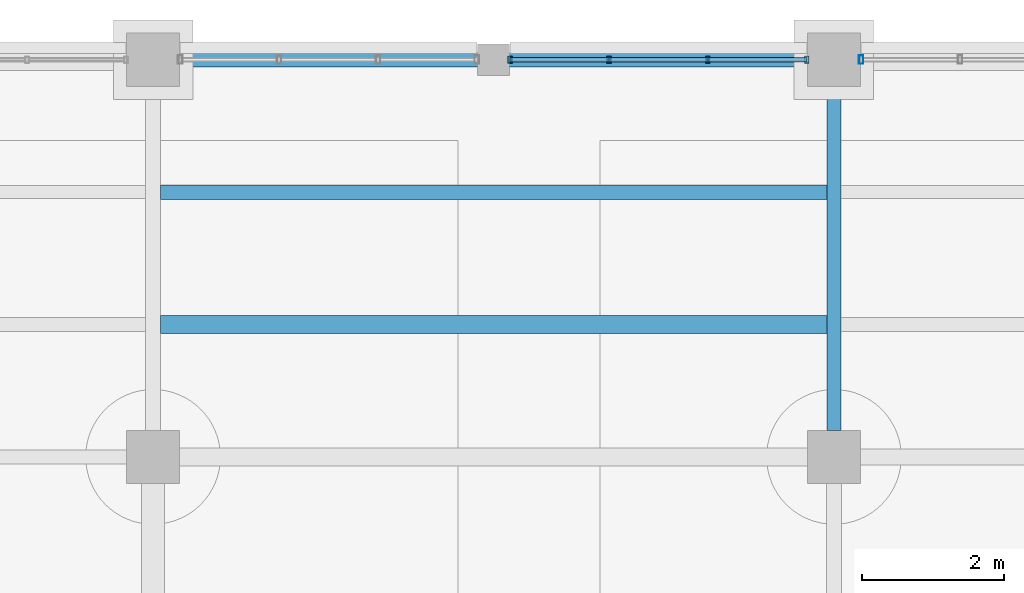
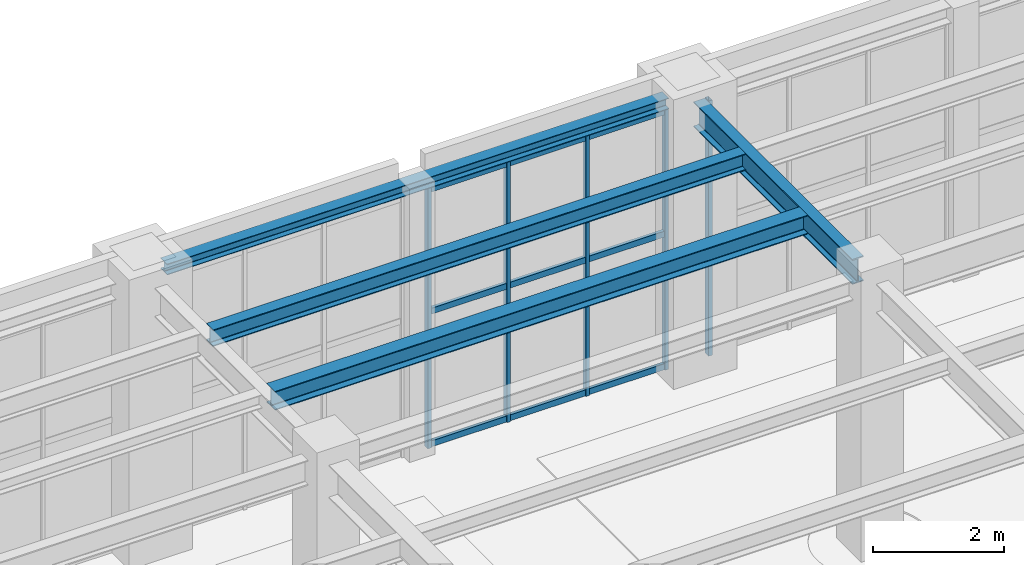
# One storey, part 78 of 164: 14 members, 4 beams, 2 elements without a shape of their own.
"""IFC4 building model written with IfcOpenShell, lengths in metres."""

from ifc_helpers import new_model, si_unit, direction, frame, origin, origin_2d, place, context, subcontext, project, spatial, hollow_rectangle, i_section, extrude, material, material_profile, profile_set, type_object, element, aggregate, save


model = new_model("IFC4")

# Units and contexts
model_context = context("Model", 3, precision=1e-05, world=origin(), true_north=direction((0.0, 1.0)))
body_context = subcontext(model_context, "Body", "Model", "MODEL_VIEW")
ifc_project = project(units=[si_unit("LENGTHUNIT", "METRE"), si_unit("AREAUNIT", "SQUARE_METRE"), si_unit("VOLUMEUNIT", "CUBIC_METRE"), si_unit("PLANEANGLEUNIT", "RADIAN"), si_unit("MASSUNIT", "GRAM", prefix="KILO")], contexts=[model_context])

# Site, building, storey
site_placement = place(None, origin())
site = spatial("IfcSite", under=ifc_project, at=site_placement, CompositionType="ELEMENT")
building_placement = place(site_placement, origin())
building = spatial("IfcBuilding", under=site, at=building_placement, Name="Mavantir Sound Aquarium", CompositionType="ELEMENT")
storey_placement = place(building_placement, origin())
storey = spatial("IfcBuildingStorey", under=building, at=storey_placement, Name="L00", CompositionType="ELEMENT", Elevation=0.0)

# Beams
ifc_material_1 = material(Name="Structural Steel ASTM A992 Gr50", Category="steel")
ifc_material_profile_1 = material_profile(ifc_material_1, i_section(OverallWidth=0.202880859375, OverallDepth=0.202880859375, WebThickness=0.007080078125, FlangeThickness=0.010986328125, FilletRadius=0.010009765625, at=origin_2d()), Name="W200X46")
ifc_profile_set_1 = profile_set([ifc_material_profile_1], Name="Structural Steel ASTM A992 Gr50")
beam_type_1 = type_object("IfcBeamType", Name="BM-W200X46-E", PredefinedType="LINTEL", material=ifc_profile_set_1)
beam_1_placement = place(storey_placement, frame((19.574951171875, 116.0, 4.994384765625), z_axis=(1.0, 0.0, 0.0), x_axis=(0.0, 1.0, 0.0)))
element("IfcBeam", 1, at=beam_1_placement, inside=storey, type_object=beam_type_1, Name="L00 primary beam SL-20 1048", PredefinedType="LINTEL", context=body_context, shape_type="SweptSolid", body=[
    extrude(i_section(OverallWidth=0.202880859375, OverallDepth=0.202880859375, WebThickness=0.007080078125, FlangeThickness=0.010986328125, FilletRadius=0.010009765625, at=origin_2d()), origin(), (0.0, 0.0, 1.0), 8.85009765625),
])
ifc_material_profile_2 = material_profile(ifc_material_1, i_section(OverallWidth=0.205078125, OverallDepth=0.31005859375, WebThickness=0.009521484375, FlangeThickness=0.016357421875, FilletRadius=0.012939453125, at=origin_2d()), Name="W310X74")
ifc_profile_set_2 = profile_set([ifc_material_profile_2], Name="Structural Steel ASTM A992 Gr50")
beam_type_2 = type_object("IfcBeamType", Name="BM-W310X74-I", PredefinedType="JOIST", material=ifc_profile_set_2)
beam_2_placement = place(storey_placement, frame((19.305908203125, 114.13330078125, 4.94091796875), z_axis=(1.0, 0.0, 0.0), x_axis=(0.0, 1.0, 0.0)))
element("IfcBeam", 2, at=beam_2_placement, inside=storey, type_object=beam_type_2, Name="L00 secondary floor joist SJ-31 607", PredefinedType="JOIST", context=body_context, shape_type="SweptSolid", body=[
    extrude(i_section(OverallWidth=0.205078125, OverallDepth=0.31005859375, WebThickness=0.009521484375, FlangeThickness=0.016357421875, FilletRadius=0.012939453125, at=origin_2d()), origin(), (0.0, 0.0, 1.0), 9.39697265625),
])
ifc_material_profile_3 = material_profile(ifc_material_1, i_section(OverallWidth=0.25390625, OverallDepth=0.35302734375, WebThickness=0.009521484375, FlangeThickness=0.016357421875, FilletRadius=0.014892578125, at=origin_2d()), Name="W360X91")
ifc_profile_set_3 = profile_set([ifc_material_profile_3], Name="Structural Steel ASTM A992 Gr50")
beam_type_3 = type_object("IfcBeamType", Name="BM-W360X91-I", PredefinedType="JOIST", material=ifc_profile_set_3)
beam_3_placement = place(storey_placement, frame((19.305908203125, 112.2666015625, 4.91943359375), z_axis=(1.0, 0.0, 0.0), x_axis=(0.0, 1.0, 0.0)))
element("IfcBeam", 3, at=beam_3_placement, inside=storey, type_object=beam_type_3, Name="L00 secondary floor joist SJ-36 606", PredefinedType="JOIST", context=body_context, shape_type="SweptSolid", body=[
    extrude(i_section(OverallWidth=0.25390625, OverallDepth=0.35302734375, WebThickness=0.009521484375, FlangeThickness=0.016357421875, FilletRadius=0.014892578125, at=origin_2d()), origin(), (0.0, 0.0, 1.0), 9.39697265625),
])
ifc_material_profile_4 = material_profile(ifc_material_1, i_section(OverallWidth=0.194091796875, OverallDepth=0.468994140625, WebThickness=0.0126953125, FlangeThickness=0.0205078125, FilletRadius=0.01611328125, at=origin_2d()), Name="W460X106")
ifc_profile_set_4 = profile_set([ifc_material_profile_4], Name="Structural Steel ASTM A992 Gr50")
beam_type_4 = type_object("IfcBeamType", Name="BM-W460X106-I", PredefinedType="BEAM", material=ifc_profile_set_4)
beam_4_placement = place(storey_placement, frame((28.800048828125, 110.77490234375, 4.861572265625), z_axis=(0.0, 1.0, 0.0), x_axis=(-1.0, 0.0, 0.0)))
element("IfcBeam", 4, at=beam_4_placement, inside=storey, type_object=beam_type_4, Name="L00 primary girder SB-46 1065", PredefinedType="BEAM", context=body_context, shape_type="SweptSolid", body=[
    extrude(i_section(OverallWidth=0.194091796875, OverallDepth=0.468994140625, WebThickness=0.0126953125, FlangeThickness=0.0205078125, FilletRadius=0.01611328125, at=origin_2d()), origin(), (0.0, 0.0, 1.0), 4.85009765625),
])

# Curtain wall, members
ifc_material_2 = material(Name="Anodised Marine Aluminium and Low-E Glass", Category="aluminium")
curtain_wall_type_1 = type_object("IfcCurtainWallType", Name="CW-T13", PredefinedType="USERDEFINED", material=ifc_material_2)
curtain_wall_1_placement = place(storey_placement, origin())
curtain_wall_1 = element("IfcCurtainWall", 5, at=curtain_wall_1_placement, inside=storey, type_object=curtain_wall_type_1, Name="L00 unitised curtain wall CW-13 37", ObjectType="UNITISED GLAZING", PredefinedType="USERDEFINED")
ifc_material_3 = material(Name="Anodised Marine Aluminium 6063-T6", Category="aluminium")
ifc_material_profile_5 = material_profile(ifc_material_3, hollow_rectangle(XDim=0.06005859375, YDim=0.10009765625, WallThickness=0.00390625, at=origin_2d()), Name="ALU-MULLION-100X60")
ifc_profile_set_5 = profile_set([ifc_material_profile_5], Name="Anodised Marine Aluminium 6063-T6")
member_type_1 = type_object("IfcMemberType", Name="CW-MUL-100", PredefinedType="MULLION", material=ifc_profile_set_5)
member_1_placement = place(storey_placement, frame((28.4169921875, 116.0, 0.0), z_axis=(0.0, 0.0, 1.0), x_axis=(1.0, 0.0, 0.0)))
member_1 = element("IfcMember", 6, at=member_1_placement, type_object=member_type_1, Name="CW-L00-037 vertical mullion 1", PredefinedType="MULLION", context=body_context, shape_type="SweptSolid", body=[
    extrude(hollow_rectangle(XDim=0.06005859375, YDim=0.10009765625, WallThickness=0.00390625, at=origin_2d()), origin(), (0.0, 0.0, 1.0), 4.863037109375),
])
member_2_placement = place(storey_placement, frame((27.022216796875, 116.0, 0.0), z_axis=(0.0, 0.0, 1.0), x_axis=(1.0, 0.0, 0.0)))
member_2 = element("IfcMember", 7, at=member_2_placement, type_object=member_type_1, Name="CW-L00-037 vertical mullion 2", PredefinedType="MULLION", context=body_context, shape_type="SweptSolid", body=[
    extrude(hollow_rectangle(XDim=0.06005859375, YDim=0.10009765625, WallThickness=0.00390625, at=origin_2d()), origin(), (0.0, 0.0, 1.0), 4.863037109375),
])
member_3_placement = place(storey_placement, frame((25.627685546875, 116.0, 0.0), z_axis=(0.0, 0.0, 1.0), x_axis=(1.0, 0.0, 0.0)))
member_3 = element("IfcMember", 8, at=member_3_placement, type_object=member_type_1, Name="CW-L00-037 vertical mullion 3", PredefinedType="MULLION", context=body_context, shape_type="SweptSolid", body=[
    extrude(hollow_rectangle(XDim=0.06005859375, YDim=0.10009765625, WallThickness=0.00390625, at=origin_2d()), origin(), (0.0, 0.0, 1.0), 4.863037109375),
])
member_4_placement = place(storey_placement, frame((24.23291015625, 116.0, 0.0), z_axis=(0.0, 0.0, 1.0), x_axis=(1.0, 0.0, 0.0)))
member_4 = element("IfcMember", 9, at=member_4_placement, type_object=member_type_1, Name="CW-L00-037 vertical mullion 4", PredefinedType="MULLION", context=body_context, shape_type="SweptSolid", body=[
    extrude(hollow_rectangle(XDim=0.06005859375, YDim=0.10009765625, WallThickness=0.00390625, at=origin_2d()), origin(), (0.0, 0.0, 1.0), 4.863037109375),
])

# Curtain wall, member
curtain_wall_type_2 = type_object("IfcCurtainWallType", Name="CW-T12", PredefinedType="USERDEFINED", material=ifc_material_2)
curtain_wall_2_placement = place(storey_placement, origin())
curtain_wall_2 = element("IfcCurtainWall", 10, at=curtain_wall_2_placement, inside=storey, type_object=curtain_wall_type_2, Name="L00 unitised curtain wall CW-12 36", ObjectType="UNITISED GLAZING", PredefinedType="USERDEFINED")
ifc_material_profile_6 = material_profile(ifc_material_3, hollow_rectangle(XDim=0.06494140625, YDim=0.1201171875, WallThickness=0.00390625, at=origin_2d()), Name="ALU-MULLION-120X65")
ifc_profile_set_6 = profile_set([ifc_material_profile_6], Name="Anodised Marine Aluminium 6063-T6")
member_type_2 = type_object("IfcMemberType", Name="CW-MUL-120", PredefinedType="MULLION", material=ifc_profile_set_6)
member_5_placement = place(storey_placement, frame((29.18310546875, 116.0, 0.0), z_axis=(0.0, 0.0, 1.0), x_axis=(1.0, 0.0, 0.0)))
member_5 = element("IfcMember", 11, at=member_5_placement, type_object=member_type_2, Name="CW-L00-036 vertical mullion 4", PredefinedType="MULLION", context=body_context, shape_type="SweptSolid", body=[
    extrude(hollow_rectangle(XDim=0.06494140625, YDim=0.1201171875, WallThickness=0.00390625, at=origin_2d()), origin(), (0.0, 0.0, 1.0), 4.758056640625),
])
aggregate(curtain_wall_2, [member_5])

# Member
ifc_material_profile_7 = material_profile(ifc_material_3, hollow_rectangle(XDim=0.06005859375, YDim=0.110107421875, WallThickness=0.00390625, at=origin_2d()), Name="ALU-TRANSOM-110X60")
ifc_profile_set_7 = profile_set([ifc_material_profile_7], Name="Anodised Marine Aluminium 6063-T6")
member_type_3 = type_object("IfcMemberType", Name="CW-TRN-110", PredefinedType="USERDEFINED", material=ifc_profile_set_7)
member_6_placement = place(storey_placement, frame((28.4169921875, 116.0, 0.054931640625), z_axis=(-1.0, 0.0, 0.0), x_axis=(0.0, -1.0, 0.0)))
member_6 = element("IfcMember", 12, at=member_6_placement, type_object=member_type_3, Name="CW-L00-037 transom 1.1", ObjectType="TRANSOM", PredefinedType="USERDEFINED", context=body_context, shape_type="SweptSolid", body=[
    extrude(hollow_rectangle(XDim=0.06005859375, YDim=0.110107421875, WallThickness=0.00390625, at=origin_2d()), origin(), (0.0, 0.0, 1.0), 1.394775390625),
])

member_7_placement = place(storey_placement, frame((28.4169921875, 116.0, 2.52880859375), z_axis=(-1.0, 0.0, 0.0), x_axis=(0.0, -1.0, 0.0)))
member_7 = element("IfcMember", 13, at=member_7_placement, type_object=member_type_3, Name="CW-L00-037 transom 1.2", ObjectType="TRANSOM", PredefinedType="USERDEFINED", context=body_context, shape_type="SweptSolid", body=[
    extrude(hollow_rectangle(XDim=0.06005859375, YDim=0.110107421875, WallThickness=0.00390625, at=origin_2d()), origin(), (0.0, 0.0, 1.0), 1.394775390625),
])

member_8_placement = place(storey_placement, frame((28.4169921875, 116.0, 4.80810546875), z_axis=(-1.0, 0.0, 0.0), x_axis=(0.0, -1.0, 0.0)))
member_8 = element("IfcMember", 14, at=member_8_placement, type_object=member_type_3, Name="CW-L00-037 transom 1.3", ObjectType="TRANSOM", PredefinedType="USERDEFINED", context=body_context, shape_type="SweptSolid", body=[
    extrude(hollow_rectangle(XDim=0.06005859375, YDim=0.110107421875, WallThickness=0.00390625, at=origin_2d()), origin(), (0.0, 0.0, 1.0), 1.394775390625),
])

member_9_placement = place(storey_placement, frame((27.022216796875, 116.0, 0.054931640625), z_axis=(-1.0, 0.0, 0.0), x_axis=(0.0, -1.0, 0.0)))
member_9 = element("IfcMember", 15, at=member_9_placement, type_object=member_type_3, Name="CW-L00-037 transom 2.1", ObjectType="TRANSOM", PredefinedType="USERDEFINED", context=body_context, shape_type="SweptSolid", body=[
    extrude(hollow_rectangle(XDim=0.06005859375, YDim=0.110107421875, WallThickness=0.00390625, at=origin_2d()), origin(), (0.0, 0.0, 1.0), 1.39453125),
])

member_10_placement = place(storey_placement, frame((27.022216796875, 116.0, 2.52880859375), z_axis=(-1.0, 0.0, 0.0), x_axis=(0.0, -1.0, 0.0)))
member_10 = element("IfcMember", 16, at=member_10_placement, type_object=member_type_3, Name="CW-L00-037 transom 2.2", ObjectType="TRANSOM", PredefinedType="USERDEFINED", context=body_context, shape_type="SweptSolid", body=[
    extrude(hollow_rectangle(XDim=0.06005859375, YDim=0.110107421875, WallThickness=0.00390625, at=origin_2d()), origin(), (0.0, 0.0, 1.0), 1.39453125),
])

member_11_placement = place(storey_placement, frame((27.022216796875, 116.0, 4.80810546875), z_axis=(-1.0, 0.0, 0.0), x_axis=(0.0, -1.0, 0.0)))
member_11 = element("IfcMember", 17, at=member_11_placement, type_object=member_type_3, Name="CW-L00-037 transom 2.3", ObjectType="TRANSOM", PredefinedType="USERDEFINED", context=body_context, shape_type="SweptSolid", body=[
    extrude(hollow_rectangle(XDim=0.06005859375, YDim=0.110107421875, WallThickness=0.00390625, at=origin_2d()), origin(), (0.0, 0.0, 1.0), 1.39453125),
])

member_12_placement = place(storey_placement, frame((25.627685546875, 116.0, 0.054931640625), z_axis=(-1.0, 0.0, 0.0), x_axis=(0.0, -1.0, 0.0)))
member_12 = element("IfcMember", 18, at=member_12_placement, type_object=member_type_3, Name="CW-L00-037 transom 3.1", ObjectType="TRANSOM", PredefinedType="USERDEFINED", context=body_context, shape_type="SweptSolid", body=[
    extrude(hollow_rectangle(XDim=0.06005859375, YDim=0.110107421875, WallThickness=0.00390625, at=origin_2d()), origin(), (0.0, 0.0, 1.0), 1.394775390625),
])

member_13_placement = place(storey_placement, frame((25.627685546875, 116.0, 2.52880859375), z_axis=(-1.0, 0.0, 0.0), x_axis=(0.0, -1.0, 0.0)))
member_13 = element("IfcMember", 19, at=member_13_placement, type_object=member_type_3, Name="CW-L00-037 transom 3.2", ObjectType="TRANSOM", PredefinedType="USERDEFINED", context=body_context, shape_type="SweptSolid", body=[
    extrude(hollow_rectangle(XDim=0.06005859375, YDim=0.110107421875, WallThickness=0.00390625, at=origin_2d()), origin(), (0.0, 0.0, 1.0), 1.394775390625),
])

member_14_placement = place(storey_placement, frame((25.627685546875, 116.0, 4.80810546875), z_axis=(-1.0, 0.0, 0.0), x_axis=(0.0, -1.0, 0.0)))
member_14 = element("IfcMember", 20, at=member_14_placement, type_object=member_type_3, Name="CW-L00-037 transom 3.3", ObjectType="TRANSOM", PredefinedType="USERDEFINED", context=body_context, shape_type="SweptSolid", body=[
    extrude(hollow_rectangle(XDim=0.06005859375, YDim=0.110107421875, WallThickness=0.00390625, at=origin_2d()), origin(), (0.0, 0.0, 1.0), 1.394775390625),
])

aggregate(curtain_wall_1, [member_1, member_2, member_3, member_4, member_6, member_7, member_8, member_9, member_10, member_11, member_12, member_13, member_14])

save(model, "model.ifc")
